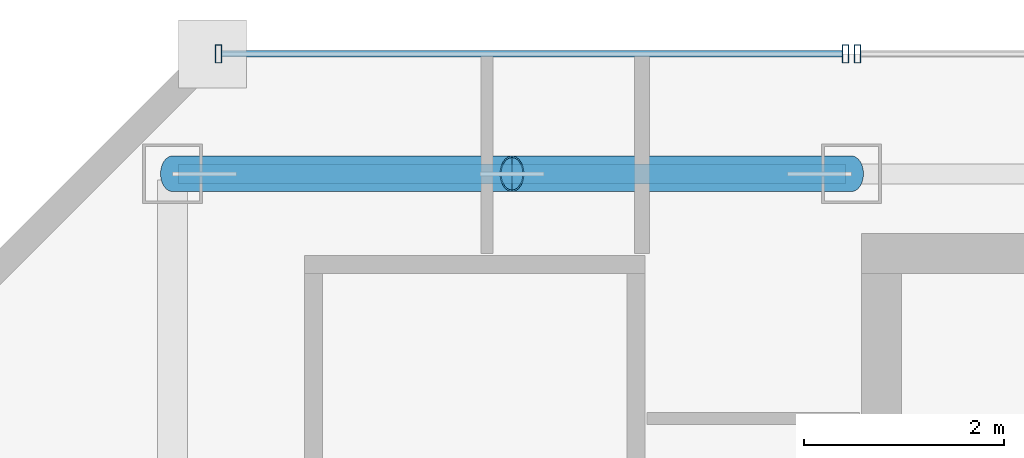
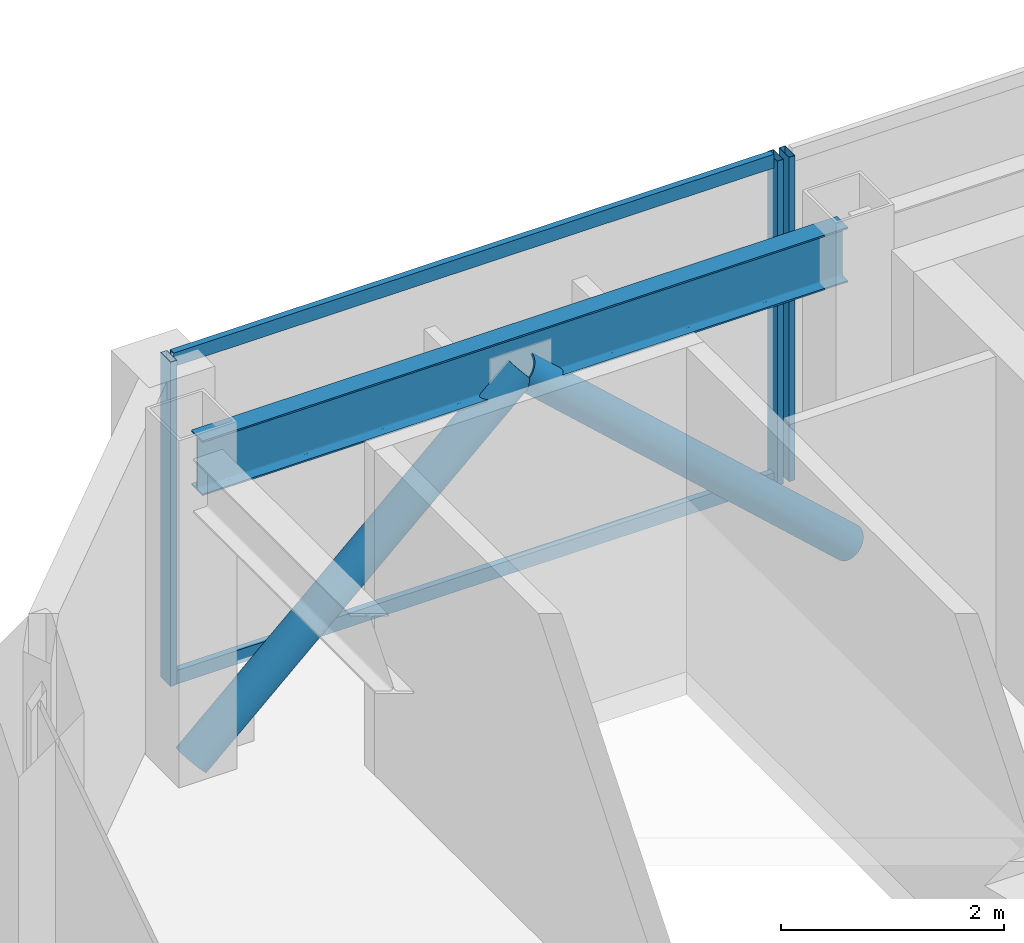
# One storey, part 20 of 32: 7 members, 1 beam, 2 elements without a shape of their own.
"""IFC4 building model written with IfcOpenShell, lengths in metres."""

from ifc_helpers import new_model, si_unit, direction, frame, origin, origin_2d, place, context, subcontext, project, spatial, hollow_rectangle, hollow_circle, i_section, extrude, material, material_profile, profile_set, type_object, element, aggregate, save


model = new_model("IFC4")

# Units and contexts
model_context = context("Model", 3, precision=1e-05, world=origin(), true_north=direction((0.0, 1.0)))
body_context = subcontext(model_context, "Body", "Model", "MODEL_VIEW")
ifc_project = project(units=[si_unit("LENGTHUNIT", "METRE"), si_unit("AREAUNIT", "SQUARE_METRE"), si_unit("VOLUMEUNIT", "CUBIC_METRE"), si_unit("PLANEANGLEUNIT", "RADIAN"), si_unit("MASSUNIT", "GRAM", prefix="KILO")], contexts=[model_context])

# Site, building, storey
site_placement = place(None, origin())
site = spatial("IfcSite", under=ifc_project, at=site_placement, CompositionType="ELEMENT")
building_placement = place(site_placement, origin())
building = spatial("IfcBuilding", under=site, at=building_placement, Name="Saevonmaru Cultural Tower", CompositionType="ELEMENT")
storey_placement = place(building_placement, frame((0.0, 0.0, 268.60009765625)))
storey = spatial("IfcBuildingStorey", under=building, at=storey_placement, Name="L63", CompositionType="ELEMENT", Elevation=268.60009765625)

# Beam
ifc_material_1 = material(Name="Steel SM355", Category="steel")
ifc_material_profile_1 = material_profile(ifc_material_1, i_section(OverallWidth=0.199951171875, OverallDepth=0.60009765625, WebThickness=0.010986328125, FlangeThickness=0.01708984375, FilletRadius=0.02197265625, at=origin_2d()), Name="H-600x200x11x17")
ifc_profile_set_1 = profile_set([ifc_material_profile_1], Name="Steel SM355")
beam_type = type_object("IfcBeamType", Name="BM-SP-H600", PredefinedType="SPANDREL", material=ifc_profile_set_1)
beam_placement = place(storey_placement, frame((6.860107421875, 54.800048828125, 3.25), z_axis=(1.0, 0.0, 0.0), x_axis=(0.0, 1.0, 0.0)))
element("IfcBeam", 1, at=beam_placement, inside=storey, type_object=beam_type, Name="L63 North Spine Girder 1", PredefinedType="SPANDREL", context=body_context, shape_type="SweptSolid", body=[
    extrude(i_section(OverallWidth=0.199951171875, OverallDepth=0.60009765625, WebThickness=0.010986328125, FlangeThickness=0.01708984375, FilletRadius=0.02197265625, at=origin_2d()), origin(), (0.0, 0.0, 1.0), 6.679931640625),
])

# Members
ifc_material_profile_2 = material_profile(ifc_material_1, hollow_circle(Radius=0.177734375, WallThickness=0.01611328125, at=origin_2d()), Name="CHS-355.6x16")
ifc_profile_set_2 = profile_set([ifc_material_profile_2], Name="Steel SM355")
member_type_1 = type_object("IfcMemberType", Name="MB-PBR-CHS356", PredefinedType="BRACE", material=ifc_profile_set_2)
member_1_placement = place(storey_placement, frame((6.800048828125, 54.800048828125, 0.02001953125), z_axis=(0.738962060105, 0.0, 0.673747039864), x_axis=(0.0, 1.0, 0.0)))
element("IfcMember", 2, at=member_1_placement, inside=storey, type_object=member_type_1, Name="L63 Perimeter Braced-Tube Diagonal WN1", PredefinedType="BRACE", context=body_context, shape_type="SweptSolid", body=[
    extrude(hollow_circle(Radius=0.177734375, WallThickness=0.01611328125, at=origin_2d()), origin(), (0.0, 0.0, 1.0), 4.600830078125),
])
member_2_placement = place(storey_placement, frame((13.60009765625, 54.800048828125, 0.02001953125), z_axis=(-0.738986146064, 0.0, 0.673720621568), x_axis=(0.0, -1.0, 0.0)))
element("IfcMember", 3, at=member_2_placement, inside=storey, type_object=member_type_1, Name="L63 Perimeter Braced-Tube Diagonal WN2", PredefinedType="BRACE", context=body_context, shape_type="SweptSolid", body=[
    extrude(hollow_circle(Radius=0.177734375, WallThickness=0.01611328125, at=origin_2d()), origin(), (0.0, 0.0, 1.0), 4.60107421875),
])

# Curtain wall, member
ifc_material_2 = material(Name="Satin Bronze Anodised Aluminium", Category="aluminium")
curtain_wall_type = type_object("IfcCurtainWallType", Name="CW-TYP-B", PredefinedType="NOTDEFINED", material=ifc_material_2)
curtain_wall_1_placement = place(storey_placement, origin())
curtain_wall_1 = element("IfcCurtainWall", 4, at=curtain_wall_1_placement, inside=storey, type_object=curtain_wall_type, Name="L63 North Spine Unitised Curtain Wall E10B", PredefinedType="NOTDEFINED")
ifc_material_profile_3 = material_profile(ifc_material_2, hollow_rectangle(XDim=0.06494140625, YDim=0.179931640625, WallThickness=0.00390625, at=origin_2d()), Name="ALU-MULL-180x65x4")
ifc_profile_set_3 = profile_set([ifc_material_profile_3], Name="Satin Bronze Anodised Aluminium")
member_type_2 = type_object("IfcMemberType", Name="ML-CW-180x65", PredefinedType="MULLION", material=ifc_profile_set_3)
member_3_placement = place(storey_placement, frame((13.659912109375, 56.0, 0.0), z_axis=(0.0, 0.0, 1.0), x_axis=(-1.0, 0.0, 0.0)))
member_3 = element("IfcMember", 5, at=member_3_placement, type_object=member_type_2, Name="CW-TW-L63-E10B mullion 4", PredefinedType="MULLION", context=body_context, shape_type="SweptSolid", body=[
    extrude(hollow_rectangle(XDim=0.06494140625, YDim=0.179931640625, WallThickness=0.00390625, at=origin_2d()), origin(), (0.0, 0.0, 1.0), 3.5498046875),
])
aggregate(curtain_wall_1, [member_3])

# Curtain wall, members
curtain_wall_2_placement = place(storey_placement, origin())
curtain_wall_2 = element("IfcCurtainWall", 6, at=curtain_wall_2_placement, inside=storey, type_object=curtain_wall_type, Name="L63 West Braced Bay Spandrel Curtain Wall E10C", PredefinedType="NOTDEFINED")
member_4_placement = place(storey_placement, frame((13.5400390625, 56.0, 0.0), z_axis=(0.0, 0.0, 1.0), x_axis=(-1.0, 0.0, 0.0)))
member_4 = element("IfcMember", 7, at=member_4_placement, type_object=member_type_2, Name="CW-TW-L63-E10C mullion 1", PredefinedType="MULLION", context=body_context, shape_type="SweptSolid", body=[
    extrude(hollow_rectangle(XDim=0.06494140625, YDim=0.179931640625, WallThickness=0.00390625, at=origin_2d()), origin(), (0.0, 0.0, 1.0), 3.5498046875),
])
member_5_placement = place(storey_placement, frame((7.260009765625, 56.0, 0.0), z_axis=(0.0, 0.0, 1.0), x_axis=(-1.0, 0.0, 0.0)))
member_5 = element("IfcMember", 8, at=member_5_placement, type_object=member_type_2, Name="CW-TW-L63-E10C mullion 2", PredefinedType="MULLION", context=body_context, shape_type="SweptSolid", body=[
    extrude(hollow_rectangle(XDim=0.06494140625, YDim=0.179931640625, WallThickness=0.00390625, at=origin_2d()), origin(), (0.0, 0.0, 1.0), 3.5498046875),
])
ifc_material_profile_4 = material_profile(ifc_material_2, hollow_rectangle(XDim=0.06494140625, YDim=0.14990234375, WallThickness=0.00390625, at=origin_2d()), Name="ALU-TRAN-150x65x4")
ifc_profile_set_4 = profile_set([ifc_material_profile_4], Name="Satin Bronze Anodised Aluminium")
member_type_3 = type_object("IfcMemberType", Name="TR-CW-150x65", PredefinedType="USERDEFINED", material=ifc_profile_set_4)
member_6_placement = place(storey_placement, frame((13.507568359375, 56.0, 0.032470703125), z_axis=(-1.0, 0.0, 0.0), x_axis=(0.0, -1.0, 0.0)))
member_6 = element("IfcMember", 9, at=member_6_placement, type_object=member_type_3, Name="CW-TW-L63-E10C transom 1.1", ObjectType="TRANSOM", PredefinedType="USERDEFINED", context=body_context, shape_type="SweptSolid", body=[
    extrude(hollow_rectangle(XDim=0.06494140625, YDim=0.14990234375, WallThickness=0.00390625, at=origin_2d()), origin(), (0.0, 0.0, 1.0), 6.215087890625),
])
member_7_placement = place(storey_placement, frame((13.507568359375, 56.0, 3.517333984375), z_axis=(-1.0, 0.0, 0.0), x_axis=(0.0, -1.0, 0.0)))
member_7 = element("IfcMember", 10, at=member_7_placement, type_object=member_type_3, Name="CW-TW-L63-E10C transom 1.2", ObjectType="TRANSOM", PredefinedType="USERDEFINED", context=body_context, shape_type="SweptSolid", body=[
    extrude(hollow_rectangle(XDim=0.06494140625, YDim=0.14990234375, WallThickness=0.00390625, at=origin_2d()), origin(), (0.0, 0.0, 1.0), 6.215087890625),
])
aggregate(curtain_wall_2, [member_4, member_5, member_6, member_7])

save(model, "model.ifc")
